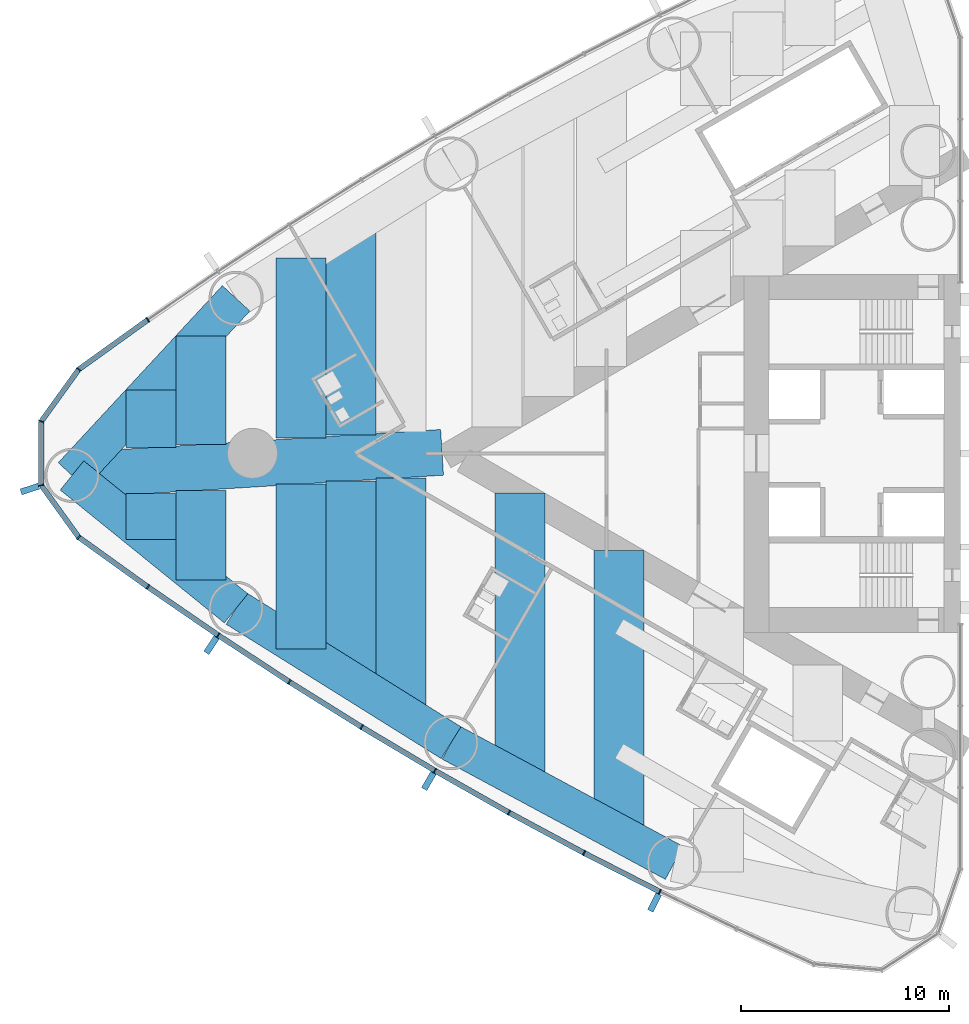
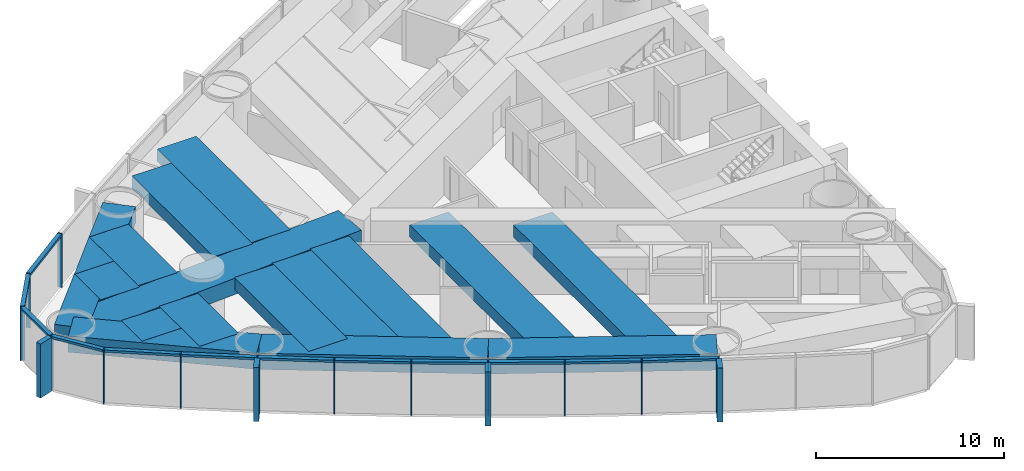
# One storey, part 2 of 18: 29 members, 16 beams, 1 element without a shape of its own.
"""IFC4 building model written with IfcOpenShell, lengths in metres."""

from ifc_helpers import new_model, si_unit, direction, frame, origin, origin_2d, place, context, subcontext, project, spatial, rectangle, extrude, material, material_profile, profile_set, type_object, element, aggregate, save


model = new_model("IFC4")

# Units and contexts
model_context = context("Model", 3, precision=1e-05, world=origin(), true_north=direction((0.0, 1.0)))
body_context = subcontext(model_context, "Body", "Model", "MODEL_VIEW")
ifc_project = project(units=[si_unit("LENGTHUNIT", "METRE"), si_unit("AREAUNIT", "SQUARE_METRE"), si_unit("VOLUMEUNIT", "CUBIC_METRE"), si_unit("PLANEANGLEUNIT", "RADIAN"), si_unit("MASSUNIT", "GRAM", prefix="KILO")], contexts=[model_context])

# Site, building, storey
site_placement = place(None, origin())
site = spatial("IfcSite", under=ifc_project, at=site_placement, CompositionType="ELEMENT")
building_placement = place(site_placement, origin())
building = spatial("IfcBuilding", under=site, at=building_placement, Name="Lancet Gate Hotel", CompositionType="ELEMENT")
storey_placement = place(building_placement, frame((0.0, 0.0, 125.60009765625)))
storey = spatial("IfcBuildingStorey", under=building, at=storey_placement, Name="L33", CompositionType="ELEMENT", Elevation=125.60009765625)

# Curtain wall, members
ifc_material_1 = material(Name="Aluminium curtain wall", Category="aluminium")
curtain_wall_type = type_object("IfcCurtainWallType", Name="Tower unitised curtain wall", PredefinedType="USERDEFINED", material=ifc_material_1)
curtain_wall_placement = place(storey_placement, origin())
curtain_wall = element("IfcCurtainWall", 1, at=curtain_wall_placement, inside=storey, type_object=curtain_wall_type, Name="T1 L33 curtain wall 1", ObjectType="UNITISED CURTAIN WALL", PredefinedType="USERDEFINED")
ifc_material_2 = material(Name="Aluminium mullion", Category="aluminium")
ifc_material_profile_1 = material_profile(ifc_material_2, rectangle(XDim=0.06494140625, YDim=0.25, at=origin_2d()), Name="MULLION 65x250")
ifc_profile_set_1 = profile_set([ifc_material_profile_1], Name="Aluminium mullion")
member_type_1 = type_object("IfcMemberType", Name="Aluminium mullion 65x250", PredefinedType="MULLION", material=ifc_profile_set_1)
member_1_placement = place(storey_placement, frame((-66.5234375, 6.41650390625, 0.0), z_axis=(0.0, 0.0, 1.0), x_axis=(-0.818327221681, -0.574752606132, 0.0)))
member_1 = element("IfcMember", 2, at=member_1_placement, type_object=member_type_1, Name="T1 L33 curtain wall 1 mullion 16", PredefinedType="MULLION", context=body_context, shape_type="SweptSolid", body=[
    extrude(rectangle(XDim=0.06494140625, YDim=0.25, at=origin_2d()), origin(), (0.0, 0.0, 1.0), 3.5),
])
member_2_placement = place(storey_placement, frame((-69.84619140625, 4.02880859375, 0.0), z_axis=(0.0, 0.0, 1.0), x_axis=(-0.723846229576, -0.6899613293, 0.0)))
member_2 = element("IfcMember", 3, at=member_2_placement, type_object=member_type_1, Name="T1 L33 curtain wall 1 mullion 17", PredefinedType="MULLION", context=body_context, shape_type="SweptSolid", body=[
    extrude(rectangle(XDim=0.06494140625, YDim=0.25, at=origin_2d()), origin(), (0.0, 0.0, 1.0), 3.5),
])
member_3_placement = place(storey_placement, frame((-71.64306640625, 1.536376953125, 0.0), z_axis=(0.0, 0.0, 1.0), x_axis=(-0.307269196735, -0.95162263568, 0.0)))
member_3 = element("IfcMember", 4, at=member_3_placement, type_object=member_type_1, Name="T1 L33 curtain wall 1 mullion 18", PredefinedType="MULLION", context=body_context, shape_type="SweptSolid", body=[
    extrude(rectangle(XDim=0.06494140625, YDim=0.25, at=origin_2d()), origin(), (0.0, 0.0, 1.0), 3.5),
])
member_4_placement = place(storey_placement, frame((-71.64306640625, -1.536376953125, 0.0), z_axis=(0.0, 0.0, 1.0), x_axis=(0.307269196735, -0.95162263568, 0.0)))
member_4 = element("IfcMember", 5, at=member_4_placement, type_object=member_type_1, Name="T1 L33 curtain wall 1 mullion 19", PredefinedType="MULLION", context=body_context, shape_type="SweptSolid", body=[
    extrude(rectangle(XDim=0.06494140625, YDim=0.25, at=origin_2d()), origin(), (0.0, 0.0, 1.0), 3.5),
])
member_5_placement = place(storey_placement, frame((-69.84619140625, -4.02880859375, 0.0), z_axis=(0.0, 0.0, 1.0), x_axis=(0.723846229576, -0.6899613293, 0.0)))
member_5 = element("IfcMember", 6, at=member_5_placement, type_object=member_type_1, Name="T1 L33 curtain wall 1 mullion 20", PredefinedType="MULLION", context=body_context, shape_type="SweptSolid", body=[
    extrude(rectangle(XDim=0.06494140625, YDim=0.25, at=origin_2d()), origin(), (0.0, 0.0, 1.0), 3.5),
])
member_6_placement = place(storey_placement, frame((-66.5234375, -6.41650390625, 0.0), z_axis=(0.0, 0.0, 1.0), x_axis=(0.818327221681, -0.574752606132, 0.0)))
member_6 = element("IfcMember", 7, at=member_6_placement, type_object=member_type_1, Name="T1 L33 curtain wall 1 mullion 21", PredefinedType="MULLION", context=body_context, shape_type="SweptSolid", body=[
    extrude(rectangle(XDim=0.06494140625, YDim=0.25, at=origin_2d()), origin(), (0.0, 0.0, 1.0), 3.5),
])
member_7_placement = place(storey_placement, frame((-63.14990234375, -8.73193359375, 0.0), z_axis=(0.0, 0.0, 1.0), x_axis=(0.830510096234, -0.557003572747, 0.0)))
member_7 = element("IfcMember", 8, at=member_7_placement, type_object=member_type_1, Name="T1 L33 curtain wall 1 mullion 22", PredefinedType="MULLION", context=body_context, shape_type="SweptSolid", body=[
    extrude(rectangle(XDim=0.06494140625, YDim=0.25, at=origin_2d()), origin(), (0.0, 0.0, 1.0), 3.5),
])
member_8_placement = place(storey_placement, frame((-59.7275390625, -10.974365234375, 0.0), z_axis=(0.0, 0.0, 1.0), x_axis=(0.84230807036, -0.538996395727, 0.0)))
member_8 = element("IfcMember", 9, at=member_8_placement, type_object=member_type_1, Name="T1 L33 curtain wall 1 mullion 23", PredefinedType="MULLION", context=body_context, shape_type="SweptSolid", body=[
    extrude(rectangle(XDim=0.06494140625, YDim=0.25, at=origin_2d()), origin(), (0.0, 0.0, 1.0), 3.5),
])
member_9_placement = place(storey_placement, frame((-56.257568359375, -13.142333984375, 0.0), z_axis=(0.0, 0.0, 1.0), x_axis=(0.853715676299, -0.52073942048, 0.0)))
member_9 = element("IfcMember", 10, at=member_9_placement, type_object=member_type_1, Name="T1 L33 curtain wall 1 mullion 24", PredefinedType="MULLION", context=body_context, shape_type="SweptSolid", body=[
    extrude(rectangle(XDim=0.06494140625, YDim=0.25, at=origin_2d()), origin(), (0.0, 0.0, 1.0), 3.5),
])
member_10_placement = place(storey_placement, frame((-52.74169921875, -15.2353515625, 0.0), z_axis=(0.0, 0.0, 1.0), x_axis=(0.86472762718, -0.502241108226, 0.0)))
member_10 = element("IfcMember", 11, at=member_10_placement, type_object=member_type_1, Name="T1 L33 curtain wall 1 mullion 25", PredefinedType="MULLION", context=body_context, shape_type="SweptSolid", body=[
    extrude(rectangle(XDim=0.06494140625, YDim=0.25, at=origin_2d()), origin(), (0.0, 0.0, 1.0), 3.5),
])
member_11_placement = place(storey_placement, frame((-49.181640625, -17.252197265625, 0.0), z_axis=(0.0, 0.0, 1.0), x_axis=(0.875338819507, -0.48351003202, 0.0)))
member_11 = element("IfcMember", 12, at=member_11_placement, type_object=member_type_1, Name="T1 L33 curtain wall 1 mullion 26", PredefinedType="MULLION", context=body_context, shape_type="SweptSolid", body=[
    extrude(rectangle(XDim=0.06494140625, YDim=0.25, at=origin_2d()), origin(), (0.0, 0.0, 1.0), 3.5),
])
member_12_placement = place(storey_placement, frame((-45.578857421875, -19.19189453125, 0.0), z_axis=(0.0, 0.0, 1.0), x_axis=(0.885544335517, -0.46455487279, 0.0)))
member_12 = element("IfcMember", 13, at=member_12_placement, type_object=member_type_1, Name="T1 L33 curtain wall 1 mullion 27", PredefinedType="MULLION", context=body_context, shape_type="SweptSolid", body=[
    extrude(rectangle(XDim=0.06494140625, YDim=0.25, at=origin_2d()), origin(), (0.0, 0.0, 1.0), 3.5),
])
member_13_placement = place(storey_placement, frame((-41.935302734375, -21.053466796875, 0.0), z_axis=(0.0, 0.0, 1.0), x_axis=(0.895339445458, -0.445384415317, 0.0)))
member_13 = element("IfcMember", 14, at=member_13_placement, type_object=member_type_1, Name="T1 L33 curtain wall 1 mullion 28", PredefinedType="MULLION", context=body_context, shape_type="SweptSolid", body=[
    extrude(rectangle(XDim=0.06494140625, YDim=0.25, at=origin_2d()), origin(), (0.0, 0.0, 1.0), 3.5),
])
ifc_material_3 = material(Name="Aluminium transom", Category="aluminium")
ifc_material_profile_2 = material_profile(ifc_material_3, rectangle(XDim=0.25, YDim=0.14990234375, at=origin_2d()), Name="TRANSOM 250x150")
ifc_profile_set_2 = profile_set([ifc_material_profile_2], Name="Aluminium transom")
member_type_2 = type_object("IfcMemberType", Name="Aluminium transom 250x150", PredefinedType="USERDEFINED", material=ifc_profile_set_2)
member_14_placement = place(storey_placement, frame((-66.5498046875, 6.3974609375, 3.4248046875), z_axis=(-0.812099770796, -0.583518604908, 0.0), x_axis=(0.583518604908, -0.812099770796, 0.0)))
member_14 = element("IfcMember", 15, at=member_14_placement, type_object=member_type_2, Name="T1 L33 curtain wall 1 transom 16", ObjectType="TRANSOM", PredefinedType="USERDEFINED", context=body_context, shape_type="SweptSolid", body=[
    extrude(rectangle(XDim=0.25, YDim=0.14990234375, at=origin_2d()), origin(), (0.0, 0.0, 1.0), 4.026611328125),
])
member_15_placement = place(storey_placement, frame((-69.865234375, 4.00244140625, 3.4248046875), z_axis=(-0.584787911241, -0.81118622946, 0.0), x_axis=(0.81118622946, -0.584787911241, 0.0)))
member_15 = element("IfcMember", 16, at=member_15_placement, type_object=member_type_2, Name="T1 L33 curtain wall 1 transom 17", ObjectType="TRANSOM", PredefinedType="USERDEFINED", context=body_context, shape_type="SweptSolid", body=[
    extrude(rectangle(XDim=0.25, YDim=0.14990234375, at=origin_2d()), origin(), (0.0, 0.0, 1.0), 3.007568359375),
])
member_16_placement = place(storey_placement, frame((-71.64306640625, 1.50390625, 3.4248046875), z_axis=(0.0, -1.0, 0.0), x_axis=(1.0, 0.0, 0.0)))
member_16 = element("IfcMember", 17, at=member_16_placement, type_object=member_type_2, Name="T1 L33 curtain wall 1 transom 18", ObjectType="TRANSOM", PredefinedType="USERDEFINED", context=body_context, shape_type="SweptSolid", body=[
    extrude(rectangle(XDim=0.25, YDim=0.14990234375, at=origin_2d()), origin(), (0.0, 0.0, 1.0), 3.0078125),
])
member_17_placement = place(storey_placement, frame((-71.6240234375, -1.562744140625, 3.4248046875), z_axis=(0.584787911241, -0.81118622946, 0.0), x_axis=(0.81118622946, 0.584787911241, 0.0)))
member_17 = element("IfcMember", 18, at=member_17_placement, type_object=member_type_2, Name="T1 L33 curtain wall 1 transom 19", ObjectType="TRANSOM", PredefinedType="USERDEFINED", context=body_context, shape_type="SweptSolid", body=[
    extrude(rectangle(XDim=0.25, YDim=0.14990234375, at=origin_2d()), origin(), (0.0, 0.0, 1.0), 3.007568359375),
])
member_18_placement = place(storey_placement, frame((-69.81982421875, -4.0478515625, 3.4248046875), z_axis=(0.812099770796, -0.583518604908, 0.0), x_axis=(0.583518604908, 0.812099770796, 0.0)))
member_18 = element("IfcMember", 19, at=member_18_placement, type_object=member_type_2, Name="T1 L33 curtain wall 1 transom 20", ObjectType="TRANSOM", PredefinedType="USERDEFINED", context=body_context, shape_type="SweptSolid", body=[
    extrude(rectangle(XDim=0.25, YDim=0.14990234375, at=origin_2d()), origin(), (0.0, 0.0, 1.0), 4.026611328125),
])
member_19_placement = place(storey_placement, frame((-66.49658203125, -6.434814453125, 3.4248046875), z_axis=(0.824455665247, -0.565926546508, 0.0), x_axis=(0.565926546508, 0.824455665247, 0.0)))
member_19 = element("IfcMember", 20, at=member_19_placement, type_object=member_type_2, Name="T1 L33 curtain wall 1 transom 21", ObjectType="TRANSOM", PredefinedType="USERDEFINED", context=body_context, shape_type="SweptSolid", body=[
    extrude(rectangle(XDim=0.25, YDim=0.14990234375, at=origin_2d()), origin(), (0.0, 0.0, 1.0), 4.026611328125),
])
member_20_placement = place(storey_placement, frame((-63.122802734375, -8.749755859375, 3.4248046875), z_axis=(0.83645442085, -0.548036496815, 0.0), x_axis=(0.548036496815, 0.83645442085, 0.0)))
member_20 = element("IfcMember", 21, at=member_20_placement, type_object=member_type_2, Name="T1 L33 curtain wall 1 transom 22", ObjectType="TRANSOM", PredefinedType="USERDEFINED", context=body_context, shape_type="SweptSolid", body=[
    extrude(rectangle(XDim=0.25, YDim=0.14990234375, at=origin_2d()), origin(), (0.0, 0.0, 1.0), 4.026611328125),
])
member_21_placement = place(storey_placement, frame((-59.699951171875, -10.991455078125, 3.4248046875), z_axis=(0.848049393821, -0.529917187531, 0.0), x_axis=(0.529917187531, 0.848049393821, 0.0)))
member_21 = element("IfcMember", 22, at=member_21_placement, type_object=member_type_2, Name="T1 L33 curtain wall 1 transom 23", ObjectType="TRANSOM", PredefinedType="USERDEFINED", context=body_context, shape_type="SweptSolid", body=[
    extrude(rectangle(XDim=0.25, YDim=0.14990234375, at=origin_2d()), origin(), (0.0, 0.0, 1.0), 4.026611328125),
])
member_22_placement = place(storey_placement, frame((-56.2294921875, -13.1591796875, 3.4248046875), z_axis=(0.859285270342, -0.511496651186, 0.0), x_axis=(0.511496651186, 0.859285270342, 0.0)))
member_22 = element("IfcMember", 23, at=member_22_placement, type_object=member_type_2, Name="T1 L33 curtain wall 1 transom 24", ObjectType="TRANSOM", PredefinedType="USERDEFINED", context=body_context, shape_type="SweptSolid", body=[
    extrude(rectangle(XDim=0.25, YDim=0.14990234375, at=origin_2d()), origin(), (0.0, 0.0, 1.0), 4.026611328125),
])
member_23_placement = place(storey_placement, frame((-52.71337890625, -15.25146484375, 3.4248046875), z_axis=(0.870091531013, -0.492890178091, 0.0), x_axis=(0.492890178091, 0.870091531013, 0.0)))
member_23 = element("IfcMember", 24, at=member_23_placement, type_object=member_type_2, Name="T1 L33 curtain wall 1 transom 25", ObjectType="TRANSOM", PredefinedType="USERDEFINED", context=body_context, shape_type="SweptSolid", body=[
    extrude(rectangle(XDim=0.25, YDim=0.14990234375, at=origin_2d()), origin(), (0.0, 0.0, 1.0), 4.026611328125),
])
member_24_placement = place(storey_placement, frame((-49.153076171875, -17.267578125, 3.4248046875), z_axis=(0.880498353192, -0.474049206335, 0.0), x_axis=(0.474049206335, 0.880498353192, 0.0)))
member_24 = element("IfcMember", 25, at=member_24_placement, type_object=member_type_2, Name="T1 L33 curtain wall 1 transom 26", ObjectType="TRANSOM", PredefinedType="USERDEFINED", context=body_context, shape_type="SweptSolid", body=[
    extrude(rectangle(XDim=0.25, YDim=0.14990234375, at=origin_2d()), origin(), (0.0, 0.0, 1.0), 4.02685546875),
])
member_25_placement = place(storey_placement, frame((-45.550048828125, -19.20654296875, 3.4248046875), z_axis=(0.89047617483, -0.455029869415, 0.0), x_axis=(0.455029869415, 0.89047617483, 0.0)))
member_25 = element("IfcMember", 26, at=member_25_placement, type_object=member_type_2, Name="T1 L33 curtain wall 1 transom 27", ObjectType="TRANSOM", PredefinedType="USERDEFINED", context=body_context, shape_type="SweptSolid", body=[
    extrude(rectangle(XDim=0.25, YDim=0.14990234375, at=origin_2d()), origin(), (0.0, 0.0, 1.0), 4.026611328125),
])

# Beams
ifc_material_4 = material(Name="Concrete C50/60", Category="concrete")
ifc_material_profile_3 = material_profile(ifc_material_4, rectangle(XDim=1.800048828125, YDim=1.050048828125, at=origin_2d()), Name="RC 1800x1050")
ifc_profile_set_3 = profile_set([ifc_material_profile_3], Name="Concrete C50/60")
beam_type_1 = type_object("IfcBeamType", Name="Edge beam RC 1800x1050", PredefinedType="SPANDREL", material=ifc_profile_set_3)
beam_1_placement = place(storey_placement, frame((-62.28662109375, 7.444580078125, 2.724853515625), z_axis=(-0.679718253794, -0.733473309303, 0.0), x_axis=(0.733473309303, -0.679718253794, 0.0)))
element("IfcBeam", 27, at=beam_1_placement, inside=storey, type_object=beam_type_1, Name="T1 edge beam EB1 L33", PredefinedType="SPANDREL", context=body_context, shape_type="SweptSolid", body=[
    extrude(rectangle(XDim=1.800048828125, YDim=1.050048828125, at=origin_2d()), origin(), (0.0, 0.0, 1.0), 11.594970703125),
])
beam_2_placement = place(storey_placement, frame((-70.16796875, -1.06005859375, 2.724853515625), z_axis=(0.777033503891, -0.629459239213, 0.0), x_axis=(0.629459239213, 0.777033503891, 0.0)))
element("IfcBeam", 28, at=beam_2_placement, inside=storey, type_object=beam_type_1, Name="T1 edge beam EB1 L33", PredefinedType="SPANDREL", context=body_context, shape_type="SweptSolid", body=[
    extrude(rectangle(XDim=1.800048828125, YDim=1.050048828125, at=origin_2d()), origin(), (0.0, 0.0, 1.0), 10.142822265625),
])
for number, where, z_axis, x_axis, name in (
    (29, (-62.28662109375, -7.444580078125, 2.724853515625), (0.848062521637, -0.529896177939, 0.0), (0.529896177939, 0.848062521637, 0.0), "T1 edge beam EB1 L33"),
    (30, (-51.963134765625, -13.89501953125, 2.724853515625), (0.880492350889, -0.474060354835, 0.0), (0.474060354835, 0.880492350889, 0.0), "T1 edge beam EB1 L33"),
):
    element("IfcBeam", number, at=place(storey_placement, frame(where, z_axis=z_axis, x_axis=x_axis)), inside=storey, type_object=beam_type_1, Name=name, PredefinedType="SPANDREL", context=body_context, shape_type="SweptSolid", body=[
        extrude(rectangle(XDim=1.800048828125, YDim=1.050048828125, at=origin_2d()), origin(), (0.0, 0.0, 1.0), 12.173095703125),
    ])

# Member
ifc_material_5 = material(Name="Precast concrete C50/60", Category="concrete")
ifc_material_profile_4 = material_profile(ifc_material_5, rectangle(XDim=0.300048828125, YDim=0.89990234375, at=origin_2d()), Name="FIN 300x900")
ifc_profile_set_4 = profile_set([ifc_material_profile_4], Name="Precast concrete C50/60")
member_type_3 = type_object("IfcMemberType", Name="Exposed concrete fin 300x900", PredefinedType="USERDEFINED", material=ifc_profile_set_4)
member_26_placement = place(storey_placement, frame((-72.190185546875, -1.713134765625, 0.0), z_axis=(0.0, 0.0, 1.0), x_axis=(0.307269196735, -0.95162263568, 0.0)))
member_26 = element("IfcMember", 31, at=member_26_placement, type_object=member_type_3, Name="T1 L33 curtain wall 1 fin 19", ObjectType="FIN", PredefinedType="USERDEFINED", context=body_context, shape_type="SweptSolid", body=[
    extrude(rectangle(XDim=0.300048828125, YDim=0.89990234375, at=origin_2d()), origin(), (0.0, 0.0, 1.0), 3.5),
])

member_27_placement = place(storey_placement, frame((-63.47021484375, -9.20947265625, 0.0), z_axis=(0.0, 0.0, 1.0), x_axis=(0.830510096234, -0.557003572747, 0.0)))
member_27 = element("IfcMember", 32, at=member_27_placement, type_object=member_type_3, Name="T1 L33 curtain wall 1 fin 22", ObjectType="FIN", PredefinedType="USERDEFINED", context=body_context, shape_type="SweptSolid", body=[
    extrude(rectangle(XDim=0.300048828125, YDim=0.89990234375, at=origin_2d()), origin(), (0.0, 0.0, 1.0), 3.5),
])

member_28_placement = place(storey_placement, frame((-53.030517578125, -15.732666015625, 0.0), z_axis=(0.0, 0.0, 1.0), x_axis=(0.86472762718, -0.502241108226, 0.0)))
member_28 = element("IfcMember", 33, at=member_28_placement, type_object=member_type_3, Name="T1 L33 curtain wall 1 fin 25", ObjectType="FIN", PredefinedType="USERDEFINED", context=body_context, shape_type="SweptSolid", body=[
    extrude(rectangle(XDim=0.300048828125, YDim=0.89990234375, at=origin_2d()), origin(), (0.0, 0.0, 1.0), 3.5),
])

member_29_placement = place(storey_placement, frame((-42.19140625, -21.568359375, 0.0), z_axis=(0.0, 0.0, 1.0), x_axis=(0.895339445458, -0.445384415317, 0.0)))
member_29 = element("IfcMember", 34, at=member_29_placement, type_object=member_type_3, Name="T1 L33 curtain wall 1 fin 28", ObjectType="FIN", PredefinedType="USERDEFINED", context=body_context, shape_type="SweptSolid", body=[
    extrude(rectangle(XDim=0.300048828125, YDim=0.89990234375, at=origin_2d()), origin(), (0.0, 0.0, 1.0), 3.5),
])

aggregate(curtain_wall, [member_1, member_2, member_3, member_4, member_26, member_5, member_6, member_7, member_27, member_8, member_9, member_10, member_28, member_11, member_12, member_13, member_29, member_14, member_15, member_16, member_17, member_18, member_19, member_20, member_21, member_22, member_23, member_24, member_25])

# Beams
ifc_material_6 = material(Name="Concrete C50/60", Category="concrete")
ifc_material_profile_5 = material_profile(ifc_material_6, rectangle(XDim=2.39990234375, YDim=0.800048828125, at=origin_2d()), Name="RC 2400x800")
ifc_profile_set_5 = profile_set([ifc_material_profile_5], Name="Concrete C50/60")
beam_type_2 = type_object("IfcBeamType", Name="Floor beam RC 2400x800", PredefinedType="BEAM", material=ifc_profile_set_5)
beam_3_placement = place(storey_placement, frame((-43.891357421875, -4.663330078125, 2.849853515625), z_axis=(0.0, -1.0, 0.0), x_axis=(1.0, 0.0, 0.0)))
element("IfcBeam", 35, at=beam_3_placement, inside=storey, type_object=beam_type_2, Name="T1 floor beam F08N L33", PredefinedType="BEAM", context=body_context, shape_type="SweptSolid", body=[
    extrude(rectangle(XDim=2.39990234375, YDim=0.800048828125, at=origin_2d()), origin(), (0.0, 0.0, 1.0), 13.57763671875),
])
beam_4_placement = place(storey_placement, frame((-48.66015625, -1.909912109375, 2.849853515625), z_axis=(0.0, -1.0, 0.0), x_axis=(1.0, 0.0, 0.0)))
element("IfcBeam", 36, at=beam_4_placement, inside=storey, type_object=beam_type_2, Name="T1 floor beam F11N L33", PredefinedType="BEAM", context=body_context, shape_type="SweptSolid", body=[
    extrude(rectangle(XDim=2.39990234375, YDim=0.800048828125, at=origin_2d()), origin(), (0.0, 0.0, 1.0), 13.763427734375),
])
beam_5_placement = place(storey_placement, frame((-54.3681640625, -1.177001953125, 2.849853515625), z_axis=(0.0, -1.0, 0.0), x_axis=(1.0, 0.0, 0.0)))
element("IfcBeam", 37, at=beam_5_placement, inside=storey, type_object=beam_type_2, Name="T1 floor beam F14N L33", PredefinedType="BEAM", context=body_context, shape_type="SweptSolid", body=[
    extrude(rectangle(XDim=2.39990234375, YDim=0.800048828125, at=origin_2d()), origin(), (0.0, 0.0, 1.0), 11.21533203125),
])
beam_6_placement = place(storey_placement, frame((-56.768310546875, 10.892578125, 2.849853515625), z_axis=(0.0, -1.0, 0.0), x_axis=(1.0, 0.0, 0.0)))
element("IfcBeam", 38, at=beam_6_placement, inside=storey, type_object=beam_type_2, Name="T1 floor beam F15S L33", PredefinedType="BEAM", context=body_context, shape_type="SweptSolid", body=[
    extrude(rectangle(XDim=2.39990234375, YDim=0.800048828125, at=origin_2d()), origin(), (0.0, 0.0, 1.0), 10.014892578125),
])
beam_7_placement = place(storey_placement, frame((-56.768310546875, -1.32666015625, 2.849853515625), z_axis=(0.0, -1.0, 0.0), x_axis=(1.0, 0.0, 0.0)))
element("IfcBeam", 39, at=beam_7_placement, inside=storey, type_object=beam_type_2, Name="T1 floor beam F16N L33", PredefinedType="BEAM", context=body_context, shape_type="SweptSolid", body=[
    extrude(rectangle(XDim=2.39990234375, YDim=0.800048828125, at=origin_2d()), origin(), (0.0, 0.0, 1.0), 9.56591796875),
])
beam_8_placement = place(storey_placement, frame((-59.168212890625, 9.39306640625, 2.849853515625), z_axis=(0.0, -1.0, 0.0), x_axis=(1.0, 0.0, 0.0)))
element("IfcBeam", 40, at=beam_8_placement, inside=storey, type_object=beam_type_2, Name="T1 floor beam F17S L33", PredefinedType="BEAM", context=body_context, shape_type="SweptSolid", body=[
    extrude(rectangle(XDim=2.39990234375, YDim=0.800048828125, at=origin_2d()), origin(), (0.0, 0.0, 1.0), 8.6650390625),
])
beam_9_placement = place(storey_placement, frame((-59.168212890625, -1.476318359375, 2.849853515625), z_axis=(0.0, -1.0, 0.0), x_axis=(1.0, 0.0, 0.0)))
element("IfcBeam", 41, at=beam_9_placement, inside=storey, type_object=beam_type_2, Name="T1 floor beam F18N L33", PredefinedType="BEAM", context=body_context, shape_type="SweptSolid", body=[
    extrude(rectangle(XDim=2.39990234375, YDim=0.800048828125, at=origin_2d()), origin(), (0.0, 0.0, 1.0), 7.916748046875),
])
beam_10_placement = place(storey_placement, frame((-63.96826171875, 5.6298828125, 2.849853515625), z_axis=(0.0, -1.0, 0.0), x_axis=(1.0, 0.0, 0.0)))
element("IfcBeam", 42, at=beam_10_placement, inside=storey, type_object=beam_type_2, Name="T1 floor beam F19S L33", PredefinedType="BEAM", context=body_context, shape_type="SweptSolid", body=[
    extrude(rectangle(XDim=2.39990234375, YDim=0.800048828125, at=origin_2d()), origin(), (0.0, 0.0, 1.0), 5.201171875),
])
beam_11_placement = place(storey_placement, frame((-63.96826171875, -1.775634765625, 2.849853515625), z_axis=(0.0, -1.0, 0.0), x_axis=(1.0, 0.0, 0.0)))
element("IfcBeam", 43, at=beam_11_placement, inside=storey, type_object=beam_type_2, Name="T1 floor beam F20N L33", PredefinedType="BEAM", context=body_context, shape_type="SweptSolid", body=[
    extrude(rectangle(XDim=2.39990234375, YDim=0.800048828125, at=origin_2d()), origin(), (0.0, 0.0, 1.0), 4.306640625),
])
beam_12_placement = place(storey_placement, frame((-66.3681640625, 3.040283203125, 2.849853515625), z_axis=(0.0, -1.0, 0.0), x_axis=(1.0, 0.0, 0.0)))
element("IfcBeam", 44, at=beam_12_placement, inside=storey, type_object=beam_type_2, Name="T1 floor beam F21S L33", PredefinedType="BEAM", context=body_context, shape_type="SweptSolid", body=[
    extrude(rectangle(XDim=2.39990234375, YDim=0.800048828125, at=origin_2d()), origin(), (0.0, 0.0, 1.0), 2.76123046875),
])
beam_13_placement = place(storey_placement, frame((-66.3681640625, -1.92529296875, 2.849853515625), z_axis=(0.0, -1.0, 0.0), x_axis=(1.0, 0.0, 0.0)))
element("IfcBeam", 45, at=beam_13_placement, inside=storey, type_object=beam_type_2, Name="T1 floor beam F22N L33", PredefinedType="BEAM", context=body_context, shape_type="SweptSolid", body=[
    extrude(rectangle(XDim=2.39990234375, YDim=0.800048828125, at=origin_2d()), origin(), (0.0, 0.0, 1.0), 2.212890625),
])
ifc_material_7 = material(Name="Concrete C50/60", Category="concrete")
ifc_material_profile_6 = material_profile(ifc_material_7, rectangle(XDim=2.199951171875, YDim=1.050048828125, at=origin_2d()), Name="RC 2200x1050")
ifc_profile_set_6 = profile_set([ifc_material_profile_6], Name="Concrete C50/60")
beam_type_3 = type_object("IfcBeamType", Name="Radial floor beam RC 2200x1050", PredefinedType="BEAM", material=ifc_profile_set_6)
beam_14_placement = place(storey_placement, frame((-70.16796875, -1.06005859375, 2.724853515625), z_axis=(0.998061637313, 0.062233175423, 0.0), x_axis=(-0.062233175423, 0.998061637313, 0.0)))
element("IfcBeam", 46, at=beam_14_placement, inside=storey, type_object=beam_type_3, Name="T1 radial beam CA L33", PredefinedType="BEAM", context=body_context, shape_type="SweptSolid", body=[
    extrude(rectangle(XDim=2.199951171875, YDim=1.050048828125, at=origin_2d()), origin(), (0.0, 0.0, 1.0), 17.806396484375),
])

save(model, "model.ifc")
